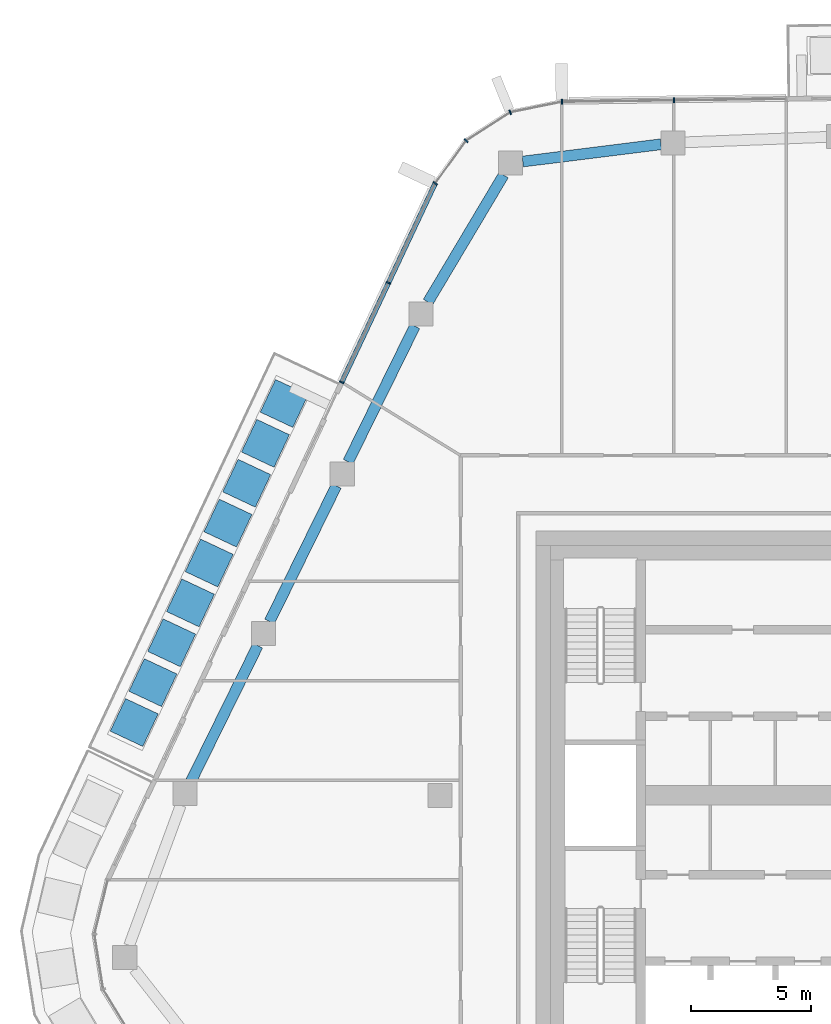
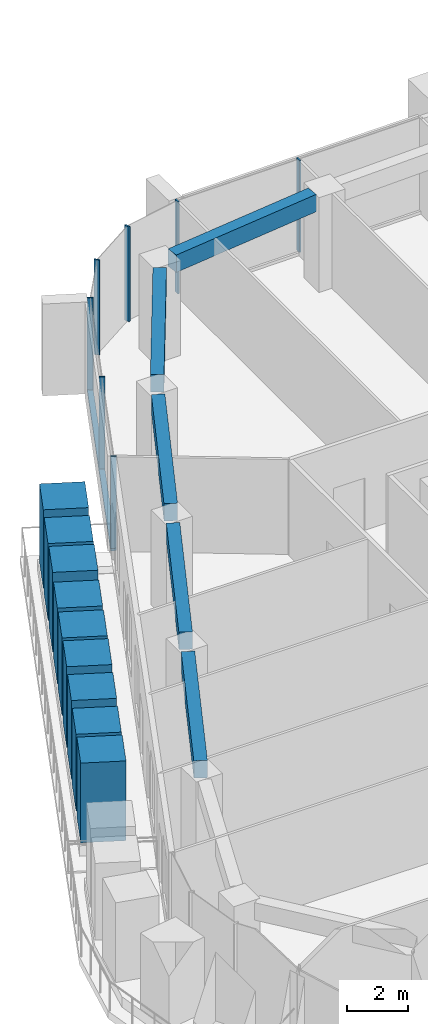
# One storey, part 6 of 23: 17 members, 5 beams, 3 elements without a shape of their own.
"""IFC4 building model written with IfcOpenShell, lengths in metres."""

from ifc_helpers import new_model, si_unit, direction, frame, origin, origin_2d, place, context, subcontext, project, spatial, rectangle, extrude, material, layer, layer_set, material_profile, profile_set, type_object, element, aggregate, save


model = new_model("IFC4")

# Units and contexts
model_context = context("Model", 3, precision=1e-05, world=origin(), true_north=direction((0.0, 1.0)))
body_context = subcontext(model_context, "Body", "Model", "MODEL_VIEW")
ifc_project = project(units=[si_unit("LENGTHUNIT", "METRE"), si_unit("AREAUNIT", "SQUARE_METRE"), si_unit("VOLUMEUNIT", "CUBIC_METRE"), si_unit("PLANEANGLEUNIT", "RADIAN"), si_unit("MASSUNIT", "GRAM", prefix="KILO")], contexts=[model_context])

# Site, building, storey
site_placement = place(None, origin())
site = spatial("IfcSite", under=ifc_project, at=site_placement, CompositionType="ELEMENT")
building_placement = place(site_placement, origin())
building = spatial("IfcBuilding", under=site, at=building_placement, Name="Dongbaek Canopy Tower", CompositionType="ELEMENT")
storey_placement = place(building_placement, frame((0.0, 0.0, 336.199951171875)))
storey = spatial("IfcBuildingStorey", under=building, at=storey_placement, Name="L72", CompositionType="ELEMENT", Elevation=336.199951171875)

# Curtain wall, members
ifc_material_1 = material(Name="Aluminium 6063-T6 pale anodised", Category="aluminium")
ifc_layer = layer(ifc_material_1, 0.199951171875)
ifc_layer_set = layer_set([ifc_layer], Name="CW-1 unitised tower curtain wall")
curtain_wall_type = type_object("IfcCurtainWallType", Name="CW-1 unitised tower curtain wall", PredefinedType="NOTDEFINED", material=ifc_layer_set)
curtain_wall_1_placement = place(storey_placement, origin())
curtain_wall_1 = element("IfcCurtainWall", 1, at=curtain_wall_1_placement, inside=storey, type_object=curtain_wall_type, Name="CW-1 curtain wall F1.1", PredefinedType="NOTDEFINED")
ifc_material_2 = material(Name="Aluminium 6063-T6 pale anodised", Category="aluminium")
ifc_material_profile_1 = material_profile(ifc_material_2, rectangle(XDim=0.199951171875, YDim=0.06005859375, at=origin_2d()), Name="CW-1 mullion 60 x 200")
ifc_profile_set_1 = profile_set([ifc_material_profile_1], Name="Aluminium 6063-T6 pale anodised")
member_type_1 = type_object("IfcMemberType", Name="CW-1 mullion 60 x 200", PredefinedType="MULLION", material=ifc_profile_set_1)
member_1_placement = place(storey_placement, frame((-8.267578125, 28.930419921875, 0.1201171875), z_axis=(0.0, 0.0, 1.0), x_axis=(-0.013165315653, 0.999913333476, 0.0)))
member_1 = element("IfcMember", 2, at=member_1_placement, type_object=member_type_1, Name="CW-1 mullion F1.1.2", PredefinedType="MULLION", context=body_context, shape_type="SweptSolid", body=[
    extrude(rectangle(XDim=0.199951171875, YDim=0.06005859375, at=origin_2d()), origin(), (0.0, 0.0, 1.0), 3.699951171875),
])
member_2_placement = place(storey_placement, frame((-12.932373046875, 28.868896484375, 0.1201171875), z_axis=(0.0, 0.0, 1.0), x_axis=(-0.013165315653, 0.999913333476, 0.0)))
member_2 = element("IfcMember", 3, at=member_2_placement, type_object=member_type_1, Name="CW-1 mullion F1.1.3", PredefinedType="MULLION", context=body_context, shape_type="SweptSolid", body=[
    extrude(rectangle(XDim=0.199951171875, YDim=0.06005859375, at=origin_2d()), origin(), (0.0, 0.0, 1.0), 3.699951171875),
])
aggregate(curtain_wall_1, [member_1, member_2])

curtain_wall_2_placement = place(storey_placement, origin())
curtain_wall_2 = element("IfcCurtainWall", 4, at=curtain_wall_2_placement, inside=storey, type_object=curtain_wall_type, Name="CW-1 curtain wall K2.1", PredefinedType="NOTDEFINED")
member_3_placement = place(storey_placement, frame((-15.083984375, 28.433837890625, 0.0), z_axis=(0.0, 0.0, 1.0), x_axis=(-0.376366233723, 0.926470969925, 0.0)))
member_3 = element("IfcMember", 5, at=member_3_placement, type_object=member_type_1, Name="CW-1 mullion K2.1.2", PredefinedType="MULLION", context=body_context, shape_type="SweptSolid", body=[
    extrude(rectangle(XDim=0.199951171875, YDim=0.06005859375, at=origin_2d()), origin(), (0.0, 0.0, 1.0), 3.820068359375),
])
member_4_placement = place(storey_placement, frame((-16.92138671875, 27.25048828125, 0.0), z_axis=(0.0, 0.0, 1.0), x_axis=(-0.687888798164, 0.725816093346, 0.0)))
member_4 = element("IfcMember", 6, at=member_4_placement, type_object=member_type_1, Name="CW-1 mullion K2.1.3", PredefinedType="MULLION", context=body_context, shape_type="SweptSolid", body=[
    extrude(rectangle(XDim=0.199951171875, YDim=0.06005859375, at=origin_2d()), origin(), (0.0, 0.0, 1.0), 3.820068359375),
])
member_5_placement = place(storey_placement, frame((-18.207275390625, 25.471435546875, 0.0), z_axis=(0.0, 0.0, 1.0), x_axis=(-0.810455315225, 0.585800462636, 0.0)))
member_5 = element("IfcMember", 7, at=member_5_placement, type_object=member_type_1, Name="CW-1 mullion K2.1.4", PredefinedType="MULLION", context=body_context, shape_type="SweptSolid", body=[
    extrude(rectangle(XDim=0.199951171875, YDim=0.06005859375, at=origin_2d()), origin(), (0.0, 0.0, 1.0), 3.820068359375),
])
aggregate(curtain_wall_2, [member_3, member_4, member_5])

curtain_wall_3_placement = place(storey_placement, origin())
curtain_wall_3 = element("IfcCurtainWall", 8, at=curtain_wall_3_placement, inside=storey, type_object=curtain_wall_type, Name="CW-1 curtain wall F2.1", PredefinedType="NOTDEFINED")
member_6_placement = place(storey_placement, frame((-20.151123046875, 21.33740234375, 0.1201171875), z_axis=(0.0, 0.0, 1.0), x_axis=(-0.90495825448, 0.425500361514, 0.0)))
member_6 = element("IfcMember", 9, at=member_6_placement, type_object=member_type_1, Name="CW-1 mullion F2.1.2", PredefinedType="MULLION", context=body_context, shape_type="SweptSolid", body=[
    extrude(rectangle(XDim=0.199951171875, YDim=0.06005859375, at=origin_2d()), origin(), (0.0, 0.0, 1.0), 3.699951171875),
])
member_7_placement = place(storey_placement, frame((-22.098876953125, 17.195068359375, 0.1201171875), z_axis=(0.0, 0.0, 1.0), x_axis=(-0.90495825448, 0.425500361514, 0.0)))
member_7 = element("IfcMember", 10, at=member_7_placement, type_object=member_type_1, Name="CW-1 mullion F2.1.3", PredefinedType="MULLION", context=body_context, shape_type="SweptSolid", body=[
    extrude(rectangle(XDim=0.199951171875, YDim=0.06005859375, at=origin_2d()), origin(), (0.0, 0.0, 1.0), 3.699951171875),
])
ifc_material_3 = material(Name="Aluminium 6063-T6 pale anodised", Category="aluminium")
ifc_material_profile_2 = material_profile(ifc_material_3, rectangle(XDim=0.199951171875, YDim=0.1201171875, at=origin_2d()), Name="CW-1 transom 120 x 200")
ifc_profile_set_2 = profile_set([ifc_material_profile_2], Name="Aluminium 6063-T6 pale anodised")
member_type_2 = type_object("IfcMemberType", Name="CW-1 transom 120 x 200", PredefinedType="USERDEFINED", material=ifc_profile_set_2)
member_8_placement = place(storey_placement, frame((-18.207275390625, 25.471435546875, 0.06005859375), z_axis=(-0.425514187384, -0.904951753595, 0.0), x_axis=(0.904951753595, -0.425514187384, 0.0)))
member_8 = element("IfcMember", 11, at=member_8_placement, type_object=member_type_2, Name="CW-1 transom F2.1.1", ObjectType="TRANSOM", PredefinedType="USERDEFINED", context=body_context, shape_type="SweptSolid", body=[
    extrude(rectangle(XDim=0.199951171875, YDim=0.1201171875, at=origin_2d()), origin(), (0.0, 0.0, 1.0), 9.145751953125),
])
aggregate(curtain_wall_3, [member_6, member_7, member_8])

# Beams
ifc_material_4 = material(Name="Concrete C60", Category="concrete")
ifc_material_profile_3 = material_profile(ifc_material_4, rectangle(XDim=0.449951171875, YDim=0.699951171875, at=origin_2d()), Name="RC EDGE BEAM 450x700 C60")
ifc_profile_set_3 = profile_set([ifc_material_profile_3], Name="Concrete C60")
beam_type = type_object("IfcBeamType", Name="RC EDGE BEAM 450x700 C60", PredefinedType="BEAM", material=ifc_profile_set_3)
for number, where, z_axis, x_axis, name in (
    (12, (-28.37109375, 0.5859375, 3.469970703125), (0.441293546446, 0.897362806152, 0.0), (-0.897362806152, 0.441293546446, 0.0), "EDGEBEAM:L72:09"),
    (13, (-25.10107421875, 7.235107421875, 3.469970703125), (0.441433810223, 0.897293815421, 0.0), (-0.897293815421, 0.441433810223, 0.0), "EDGEBEAM:L72:10"),
):
    element("IfcBeam", number, at=place(storey_placement, frame(where, z_axis=z_axis, x_axis=x_axis)), inside=storey, type_object=beam_type, Name=name, PredefinedType="BEAM", context=body_context, shape_type="SweptSolid", body=[
        extrude(rectangle(XDim=0.449951171875, YDim=0.699951171875, at=origin_2d()), origin(), (0.0, 0.0, 1.0), 6.29541015625),
    ])
beam_1_placement = place(storey_placement, frame((-21.830078125, 13.884033203125, 3.469970703125), z_axis=(0.441370345445, 0.897325034846, 0.0), x_axis=(-0.897325034846, 0.441370345445, 0.0)))
element("IfcBeam", 14, at=beam_1_placement, inside=storey, type_object=beam_type, Name="EDGEBEAM:L72:11", PredefinedType="BEAM", context=body_context, shape_type="SweptSolid", body=[
    extrude(rectangle(XDim=0.449951171875, YDim=0.699951171875, at=origin_2d()), origin(), (0.0, 0.0, 1.0), 6.294189453125),
])
beam_2_placement = place(storey_placement, frame((-18.50830078125, 20.531982421875, 3.469970703125), z_axis=(0.511535459107, 0.859262168419, 0.0), x_axis=(-0.859262168419, 0.511535459107, 0.0)))
element("IfcBeam", 15, at=beam_2_placement, inside=storey, type_object=beam_type, Name="EDGEBEAM:L72:12", PredefinedType="BEAM", context=body_context, shape_type="SweptSolid", body=[
    extrude(rectangle(XDim=0.449951171875, YDim=0.699951171875, at=origin_2d()), origin(), (0.0, 0.0, 1.0), 6.1552734375),
])
beam_3_placement = place(storey_placement, frame((-14.56201171875, 26.38330078125, 3.469970703125), z_axis=(0.992296006086, 0.123889613389, 0.0), x_axis=(-0.123889613389, 0.992296006086, 0.0)))
element("IfcBeam", 16, at=beam_3_placement, inside=storey, type_object=beam_type, Name="EDGEBEAM:L72:13", PredefinedType="BEAM", context=body_context, shape_type="SweptSolid", body=[
    extrude(rectangle(XDim=0.449951171875, YDim=0.699951171875, at=origin_2d()), origin(), (0.0, 0.0, 1.0), 5.797607421875),
])

# Members
ifc_material_5 = material(Name="Concrete C40/50 planter mass with planting", Category="concrete")
ifc_material_profile_4 = material_profile(ifc_material_5, rectangle(XDim=1.5, YDim=1.5, at=origin_2d()), Name="Terrace PLANTER shrub mass 1500 x 1500")
ifc_profile_set_4 = profile_set([ifc_material_profile_4], Name="Concrete C40/50 planter mass with planting")
member_type_3 = type_object("IfcMemberType", Name="Terrace PLANTER shrub mass 1500 x 1500", PredefinedType="USERDEFINED", material=ifc_profile_set_4)
member_9_placement = place(storey_placement, frame((-24.491943359375, 16.312255859375, 0.420166015625), z_axis=(0.0, 0.0, 1.0), x_axis=(-0.90495825448, 0.425500361514, 0.0)))
element("IfcMember", 17, at=member_9_placement, inside=storey, type_object=member_type_3, Name="Planter shrubs L72 3.1", ObjectType="PLANTER", PredefinedType="USERDEFINED", context=body_context, shape_type="SweptSolid", body=[
    extrude(rectangle(XDim=1.5, YDim=1.5, at=origin_2d()), origin(), (0.0, 0.0, 1.0), 3.169921875),
])
member_10_placement = place(storey_placement, frame((-25.2724609375, 14.65234375, 0.420166015625), z_axis=(0.0, 0.0, 1.0), x_axis=(-0.90495825448, 0.425500361514, 0.0)))
element("IfcMember", 18, at=member_10_placement, inside=storey, type_object=member_type_3, Name="Planter shrubs L72 3.2", ObjectType="PLANTER", PredefinedType="USERDEFINED", context=body_context, shape_type="SweptSolid", body=[
    extrude(rectangle(XDim=1.5, YDim=1.5, at=origin_2d()), origin(), (0.0, 0.0, 1.0), 3.08984375),
])
member_11_placement = place(storey_placement, frame((-26.052978515625, 12.9921875, 0.420166015625), z_axis=(0.0, 0.0, 1.0), x_axis=(-0.90495825448, 0.425500361514, 0.0)))
element("IfcMember", 19, at=member_11_placement, inside=storey, type_object=member_type_3, Name="Planter shrubs L72 3.3", ObjectType="PLANTER", PredefinedType="USERDEFINED", context=body_context, shape_type="SweptSolid", body=[
    extrude(rectangle(XDim=1.5, YDim=1.5, at=origin_2d()), origin(), (0.0, 0.0, 1.0), 3.2099609375),
])
member_12_placement = place(storey_placement, frame((-26.83349609375, 11.332275390625, 0.420166015625), z_axis=(0.0, 0.0, 1.0), x_axis=(-0.90495825448, 0.425500361514, 0.0)))
element("IfcMember", 20, at=member_12_placement, inside=storey, type_object=member_type_3, Name="Planter shrubs L72 3.4", ObjectType="PLANTER", PredefinedType="USERDEFINED", context=body_context, shape_type="SweptSolid", body=[
    extrude(rectangle(XDim=1.5, YDim=1.5, at=origin_2d()), origin(), (0.0, 0.0, 1.0), 3.0498046875),
])
member_13_placement = place(storey_placement, frame((-27.614013671875, 9.672119140625, 0.420166015625), z_axis=(0.0, 0.0, 1.0), x_axis=(-0.90495825448, 0.425500361514, 0.0)))
element("IfcMember", 21, at=member_13_placement, inside=storey, type_object=member_type_3, Name="Planter shrubs L72 3.5", ObjectType="PLANTER", PredefinedType="USERDEFINED", context=body_context, shape_type="SweptSolid", body=[
    extrude(rectangle(XDim=1.5, YDim=1.5, at=origin_2d()), origin(), (0.0, 0.0, 1.0), 3.1298828125),
])
member_14_placement = place(storey_placement, frame((-28.39453125, 8.01220703125, 0.420166015625), z_axis=(0.0, 0.0, 1.0), x_axis=(-0.90495825448, 0.425500361514, 0.0)))
element("IfcMember", 22, at=member_14_placement, inside=storey, type_object=member_type_3, Name="Planter shrubs L72 3.6", ObjectType="PLANTER", PredefinedType="USERDEFINED", context=body_context, shape_type="SweptSolid", body=[
    extrude(rectangle(XDim=1.5, YDim=1.5, at=origin_2d()), origin(), (0.0, 0.0, 1.0), 3.25),
])
member_15_placement = place(storey_placement, frame((-29.175048828125, 6.35205078125, 0.420166015625), z_axis=(0.0, 0.0, 1.0), x_axis=(-0.90495825448, 0.425500361514, 0.0)))
element("IfcMember", 23, at=member_15_placement, inside=storey, type_object=member_type_3, Name="Planter shrubs L72 3.7", ObjectType="PLANTER", PredefinedType="USERDEFINED", context=body_context, shape_type="SweptSolid", body=[
    extrude(rectangle(XDim=1.5, YDim=1.5, at=origin_2d()), origin(), (0.0, 0.0, 1.0), 3.169921875),
])
member_16_placement = place(storey_placement, frame((-29.95556640625, 4.692138671875, 0.420166015625), z_axis=(0.0, 0.0, 1.0), x_axis=(-0.90495825448, 0.425500361514, 0.0)))
element("IfcMember", 24, at=member_16_placement, inside=storey, type_object=member_type_3, Name="Planter shrubs L72 3.8", ObjectType="PLANTER", PredefinedType="USERDEFINED", context=body_context, shape_type="SweptSolid", body=[
    extrude(rectangle(XDim=1.5, YDim=1.5, at=origin_2d()), origin(), (0.0, 0.0, 1.0), 3.08984375),
])
member_17_placement = place(storey_placement, frame((-30.736083984375, 3.031982421875, 0.420166015625), z_axis=(0.0, 0.0, 1.0), x_axis=(-0.90495825448, 0.425500361514, 0.0)))
element("IfcMember", 25, at=member_17_placement, inside=storey, type_object=member_type_3, Name="Planter shrubs L72 3.9", ObjectType="PLANTER", PredefinedType="USERDEFINED", context=body_context, shape_type="SweptSolid", body=[
    extrude(rectangle(XDim=1.5, YDim=1.5, at=origin_2d()), origin(), (0.0, 0.0, 1.0), 3.2099609375),
])

save(model, "model.ifc")
